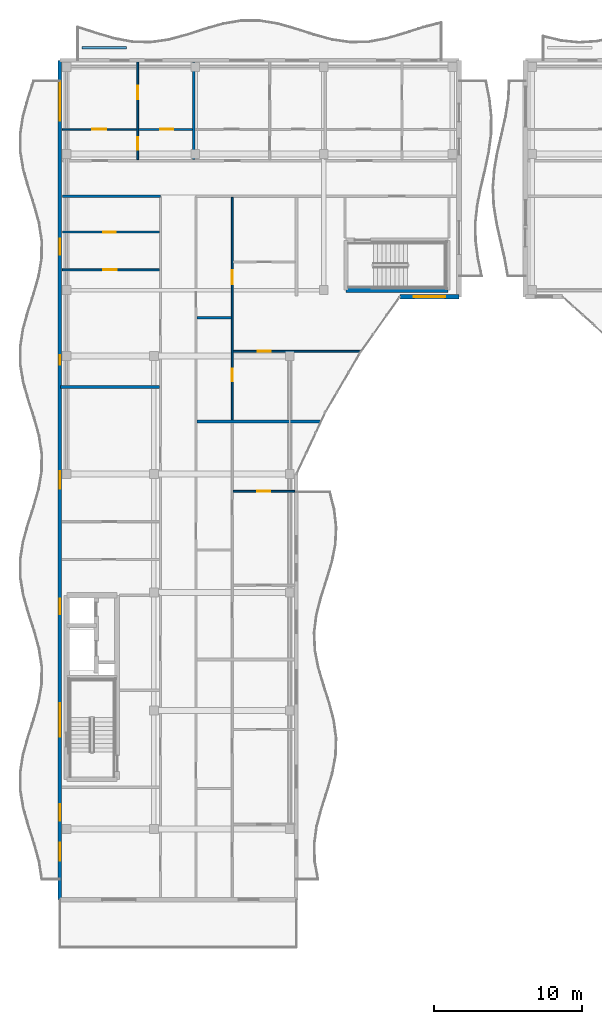
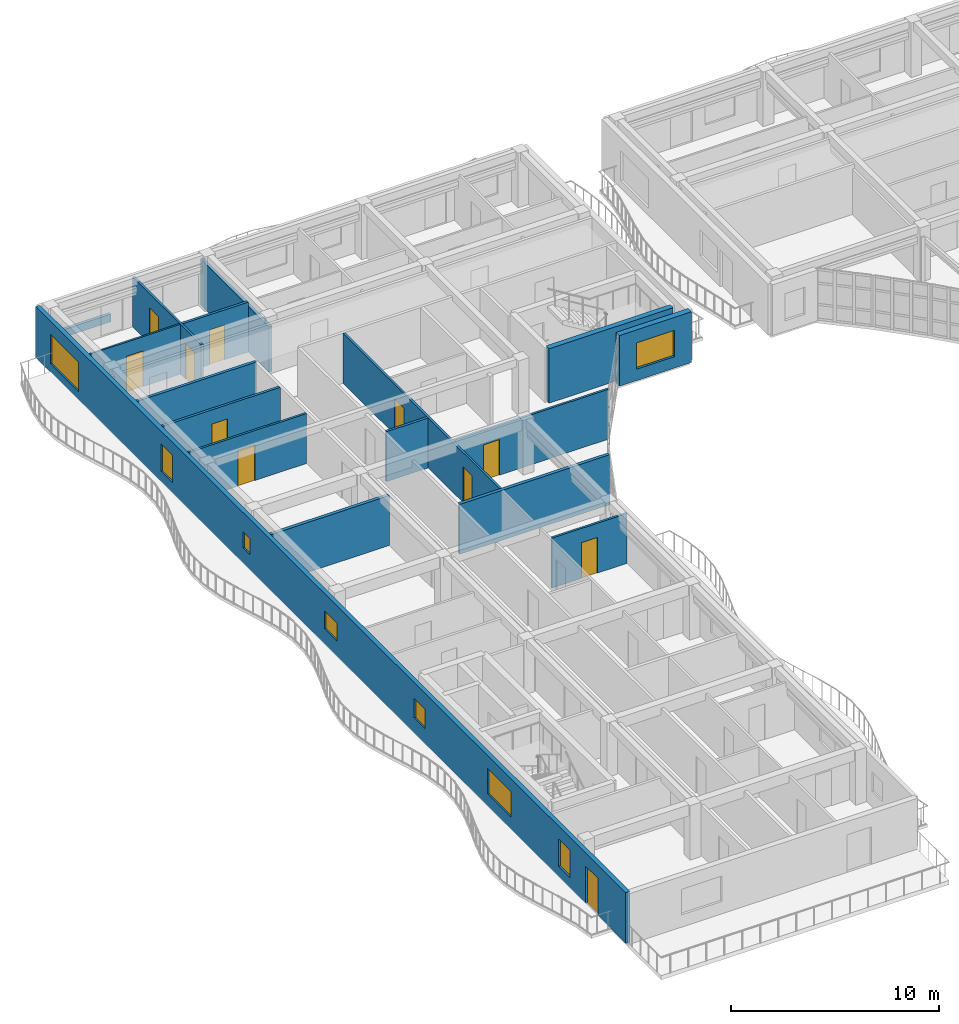
# One storey, part 33 of 72: 17 walls, 11 doors, 8 windows, 19 openings.
"""IFC4 building model written with IfcOpenShell, lengths in metres."""

from ifc_helpers import new_model, si_unit, direction, frame, frame_2d, origin, place, context, subcontext, project, spatial, rectangle, extrude, material, layer, layer_set, type_object, element, fill, save


model = new_model("IFC4")

# Units and contexts
model_context = context("Model", 3, precision=1e-05, world=origin(), true_north=direction((0.0, 1.0)))
body_context = subcontext(model_context, "Body", "Model", "MODEL_VIEW")
ifc_project = project(units=[si_unit("LENGTHUNIT", "METRE"), si_unit("AREAUNIT", "SQUARE_METRE"), si_unit("VOLUMEUNIT", "CUBIC_METRE"), si_unit("PLANEANGLEUNIT", "RADIAN"), si_unit("MASSUNIT", "GRAM", prefix="KILO")], contexts=[model_context])

# Site, building, storey
site_placement = place(None, origin())
site = spatial("IfcSite", under=ifc_project, at=site_placement, CompositionType="ELEMENT")
building_placement = place(site_placement, origin())
building = spatial("IfcBuilding", under=site, at=building_placement, Name="Keldmere Railside Commons", CompositionType="ELEMENT")
storey_placement = place(building_placement, frame((0.0, 0.0, 16.9599609375)))
storey = spatial("IfcBuildingStorey", under=building, at=storey_placement, Name="L05", CompositionType="ELEMENT", Elevation=16.9599609375)

# Walls
ifc_material_1 = material(Name="Acoustic Gypsum Board Partition", Category="gypsum")
ifc_layer_1 = layer(ifc_material_1, 0.179931640625, Name="Acoustic Demising Partition 180")
ifc_layer_set_1 = layer_set([ifc_layer_1], Name="Acoustic Gypsum Board Partition")
wall_type_1 = type_object("IfcWallType", Name="Acoustic Demising Partition 180", PredefinedType="PARTITIONING", material=ifc_layer_set_1)
wall_1_placement = place(storey_placement, frame((17.280029296875, 91.56005859375, 0.0), z_axis=(0.0, 0.0, 1.0), x_axis=(1.0, 0.0, 0.0)))
element("IfcWall", 1, at=wall_1_placement, inside=storey, type_object=wall_type_1, Name="IW-1 IW-L05-0376", PredefinedType="PARTITIONING", context=body_context, shape_type="SweptSolid", body=[
    extrude(rectangle(XDim=8.34619140625, YDim=0.179931640625, at=frame_2d((4.173095703125, 0.0))), origin(), (0.0, 0.0, 1.0), 2.93505859375),
])
wall_2_placement = place(storey_placement, frame((17.050048828125, 109.280029296875, 0.0), z_axis=(0.0, 0.0, 1.0), x_axis=(0.0, 1.0, 0.0)))
element("IfcWall", 2, at=wall_2_placement, inside=storey, type_object=wall_type_1, Name="IW-1 IW-L05-0389", PredefinedType="PARTITIONING", context=body_context, shape_type="SweptSolid", body=[
    extrude(rectangle(XDim=6.599853515625, YDim=0.179931640625, at=frame_2d((3.2998046875, 0.0))), origin(), (0.0, 0.0, 1.0), 2.679931640625),
])
wall_3_placement = place(storey_placement, frame((8.0400390625, 93.89990234375, 0.0), z_axis=(0.0, 0.0, 1.0), x_axis=(1.0, 0.0, 0.0)))
element("IfcWall", 3, at=wall_3_placement, inside=storey, type_object=wall_type_1, Name="IW-1 IW-L05-0400", PredefinedType="PARTITIONING", context=body_context, shape_type="SweptSolid", body=[
    extrude(rectangle(XDim=6.679931640625, YDim=0.179931640625, at=frame_2d((3.33984375, 0.0))), origin(), (0.0, 0.0, 1.0), 2.93505859375),
])

# Wall, opening, door
ifc_layer_2 = layer(ifc_material_1, 0.1201171875, Name="Apartment Interior Partition 120")
ifc_layer_set_2 = layer_set([ifc_layer_2], Name="Acoustic Gypsum Board Partition")
wall_type_2 = type_object("IfcWallType", Name="Apartment Interior Partition 120", PredefinedType="PARTITIONING", material=ifc_layer_set_2)
wall_4_placement = place(storey_placement, frame((19.719970703125, 86.85009765625, 0.0), z_axis=(0.0, 0.0, 1.0), x_axis=(1.0, 0.0, 0.0)))
wall_4 = element("IfcWall", 4, at=wall_4_placement, inside=storey, type_object=wall_type_2, Name="IW-4 IW-L05-0384", PredefinedType="PARTITIONING", context=body_context, shape_type="SweptSolid", body=[
    extrude(rectangle(XDim=4.159912109375, YDim=0.1201171875, at=frame_2d((2.080078125, 0.0))), origin(), (0.0, 0.0, 1.0), 2.93505859375),
])
opening_1_placement = place(wall_4_placement, frame((1.639892578125, 0.0, 0.0)))
opening_1 = element("IfcOpeningElement", 5, at=opening_1_placement, cuts=wall_4, Name="Opening ID-02", PredefinedType="OPENING", context=body_context, shape_type="SweptSolid", body=[
    extrude(rectangle(XDim=0.8798828125, YDim=2.10009765625, at=frame_2d((0.43994140625, 1.050048828125))), frame((0.0, 0.070068359375, 0.0), z_axis=(0.0, -1.0, 0.0), x_axis=(1.0, 0.0, 0.0)), (0.0, 0.0, 1.0), 0.14013671875),
])
ifc_material_2 = material(Name="Engineered Oak Timber", Category="wood")
door_type_1 = type_object("IfcDoorType", Name="Secondary Bedroom Door 880x2100", OperationType="NOTDEFINED", PredefinedType="DOOR", material=ifc_material_2)
door_1_placement = place(opening_1_placement, origin())
door_1 = element("IfcDoor", 6, at=door_1_placement, inside=storey, type_object=door_type_1, Name="ID-02 IDR-L05-0285", OperationType="SINGLE_SWING_LEFT", OverallHeight=2.10009765625, OverallWidth=0.8798828125, PredefinedType="DOOR", context=body_context, shape_type="SweptSolid", body=[
    extrude(rectangle(XDim=0.8798828125, YDim=2.10009765625, at=frame_2d((0.43994140625, 1.050048828125))), frame((0.0, 0.02490234375, 0.0), z_axis=(0.0, -1.0, 0.0), x_axis=(1.0, 0.0, 0.0)), (0.0, 0.0, 1.0), 0.050048828125),
])
fill(opening_1, door_1)

# Wall, openings, doors
wall_5_placement = place(storey_placement, frame((19.659912109375, 91.64990234375, 0.0), z_axis=(0.0, 0.0, 1.0), x_axis=(0.0, 1.0, 0.0)))
wall_5 = element("IfcWall", 7, at=wall_5_placement, inside=storey, type_object=wall_type_2, Name="IW-4 IW-L05-0385", PredefinedType="PARTITIONING", context=body_context, shape_type="SweptSolid", body=[
    extrude(rectangle(XDim=15.070068359375, YDim=0.1201171875, at=frame_2d((7.53515625, 0.0))), origin(), (0.0, 0.0, 1.0), 2.93505859375),
])
opening_2_placement = place(wall_5_placement, frame((2.63330078125, 0.0, 0.0)))
opening_2 = element("IfcOpeningElement", 8, at=opening_2_placement, cuts=wall_5, Name="Opening ID-04", PredefinedType="OPENING", context=body_context, shape_type="SweptSolid", body=[
    extrude(rectangle(XDim=0.860107421875, YDim=2.10009765625, at=frame_2d((0.43017578125, 1.050048828125))), frame((0.0, 0.070068359375, 0.0), z_axis=(0.0, -1.0, 0.0), x_axis=(1.0, 0.0, 0.0)), (0.0, 0.0, 1.0), 0.14013671875),
])
opening_3_placement = place(wall_5_placement, frame((9.209228515625, 0.0, 0.0)))
opening_3 = element("IfcOpeningElement", 9, at=opening_3_placement, cuts=wall_5, Name="Opening ID-03", PredefinedType="OPENING", context=body_context, shape_type="SweptSolid", body=[
    extrude(rectangle(XDim=0.919921875, YDim=2.10009765625, at=frame_2d((0.4599609375, 1.050048828125))), frame((0.0, 0.070068359375, 0.0), z_axis=(0.0, -1.0, 0.0), x_axis=(1.0, 0.0, 0.0)), (0.0, 0.0, 1.0), 0.14013671875),
])
door_type_2 = type_object("IfcDoorType", Name="Apartment Bathroom Door 860x2100", OperationType="NOTDEFINED", PredefinedType="DOOR", material=ifc_material_2)
door_2_placement = place(opening_2_placement, origin())
door_2 = element("IfcDoor", 10, at=door_2_placement, inside=storey, type_object=door_type_2, Name="ID-04 IDR-L05-0286", OperationType="SINGLE_SWING_RIGHT", OverallHeight=2.10009765625, OverallWidth=0.860107421875, PredefinedType="DOOR", context=body_context, shape_type="SweptSolid", body=[
    extrude(rectangle(XDim=0.860107421875, YDim=2.10009765625, at=frame_2d((0.43017578125, 1.050048828125))), frame((0.0, 0.02490234375, 0.0), z_axis=(0.0, -1.0, 0.0), x_axis=(1.0, 0.0, 0.0)), (0.0, 0.0, 1.0), 0.050048828125),
])
fill(opening_2, door_2)
door_type_3 = type_object("IfcDoorType", Name="Kitchen Pocket-Frame Swing Door 920x2100", OperationType="NOTDEFINED", PredefinedType="DOOR", material=ifc_material_2)
door_3_placement = place(opening_3_placement, origin())
door_3 = element("IfcDoor", 11, at=door_3_placement, inside=storey, type_object=door_type_3, Name="ID-03 IDR-L05-0287", OperationType="SINGLE_SWING_LEFT", OverallHeight=2.10009765625, OverallWidth=0.919921875, PredefinedType="DOOR", context=body_context, shape_type="SweptSolid", body=[
    extrude(rectangle(XDim=0.919921875, YDim=2.10009765625, at=frame_2d((0.4599609375, 1.050048828125))), frame((0.0, 0.02490234375, 0.0), z_axis=(0.0, -1.0, 0.0), x_axis=(1.0, 0.0, 0.0)), (0.0, 0.0, 1.0), 0.050048828125),
])
fill(opening_3, door_3)

# Wall, opening, door
wall_6_placement = place(storey_placement, frame((19.719970703125, 96.320068359375, 0.0), z_axis=(0.0, 0.0, 1.0), x_axis=(1.0, 0.0, 0.0)))
wall_6 = element("IfcWall", 12, at=wall_6_placement, inside=storey, type_object=wall_type_2, Name="IW-4 IW-L05-0387", PredefinedType="PARTITIONING", context=body_context, shape_type="SweptSolid", body=[
    extrude(rectangle(XDim=8.6181640625, YDim=0.1201171875, at=frame_2d((4.30908203125, 0.0))), origin(), (0.0, 0.0, 1.0), 2.93505859375),
])
opening_4_placement = place(wall_6_placement, frame((1.64501953125, 0.0, 0.0)))
opening_4 = element("IfcOpeningElement", 13, at=opening_4_placement, cuts=wall_6, Name="Opening ID-01", PredefinedType="OPENING", context=body_context, shape_type="SweptSolid", body=[
    extrude(rectangle(XDim=0.89990234375, YDim=2.10009765625, at=frame_2d((0.449951171875, 1.050048828125))), frame((0.0, 0.070068359375, 0.0), z_axis=(0.0, -1.0, 0.0), x_axis=(1.0, 0.0, 0.0)), (0.0, 0.0, 1.0), 0.14013671875),
])
door_type_4 = type_object("IfcDoorType", Name="Primary Bedroom Door 900x2100", OperationType="NOTDEFINED", PredefinedType="DOOR", material=ifc_material_2)
door_4_placement = place(opening_4_placement, origin())
door_4 = element("IfcDoor", 14, at=door_4_placement, inside=storey, type_object=door_type_4, Name="ID-01 IDR-L05-0289", OperationType="SINGLE_SWING_LEFT", OverallHeight=2.10009765625, OverallWidth=0.89990234375, PredefinedType="DOOR", context=body_context, shape_type="SweptSolid", body=[
    extrude(rectangle(XDim=0.89990234375, YDim=2.10009765625, at=frame_2d((0.449951171875, 1.050048828125))), frame((0.0, 0.02490234375, 0.0), z_axis=(0.0, -1.0, 0.0), x_axis=(1.0, 0.0, 0.0)), (0.0, 0.0, 1.0), 0.050048828125),
])
fill(opening_4, door_4)

# Wall, openings, doors
wall_7_placement = place(storey_placement, frame((13.260009765625, 109.280029296875, 0.0), z_axis=(0.0, 0.0, 1.0), x_axis=(0.0, 1.0, 0.0)))
wall_7 = element("IfcWall", 15, at=wall_7_placement, inside=storey, type_object=wall_type_2, Name="IW-4 IW-L05-0391", PredefinedType="PARTITIONING", context=body_context, shape_type="SweptSolid", body=[
    extrude(rectangle(XDim=6.599853515625, YDim=0.1201171875, at=frame_2d((3.2998046875, 0.0))), origin(), (0.0, 0.0, 1.0), 2.93505859375),
])
opening_5_placement = place(wall_7_placement, frame((0.656005859375, 0.0, 0.0)))
opening_5 = element("IfcOpeningElement", 16, at=opening_5_placement, cuts=wall_7, Name="Opening ID-04", PredefinedType="OPENING", context=body_context, shape_type="SweptSolid", body=[
    extrude(rectangle(XDim=0.860107421875, YDim=2.10009765625, at=frame_2d((0.43017578125, 1.050048828125))), frame((0.0, 0.070068359375, 0.0), z_axis=(0.0, -1.0, 0.0), x_axis=(1.0, 0.0, 0.0)), (0.0, 0.0, 1.0), 0.14013671875),
])
opening_6_placement = place(wall_7_placement, frame((4.097412109375, 0.0, 0.0)))
opening_6 = element("IfcOpeningElement", 17, at=opening_6_placement, cuts=wall_7, Name="Opening ID-01", PredefinedType="OPENING", context=body_context, shape_type="SweptSolid", body=[
    extrude(rectangle(XDim=0.89990234375, YDim=2.10009765625, at=frame_2d((0.449951171875, 1.050048828125))), frame((0.0, 0.070068359375, 0.0), z_axis=(0.0, -1.0, 0.0), x_axis=(1.0, 0.0, 0.0)), (0.0, 0.0, 1.0), 0.14013671875),
])
door_5_placement = place(opening_5_placement, origin())
door_5 = element("IfcDoor", 18, at=door_5_placement, inside=storey, type_object=door_type_2, Name="ID-04 IDR-L05-0293", OperationType="SINGLE_SWING_LEFT", OverallHeight=2.10009765625, OverallWidth=0.860107421875, PredefinedType="DOOR", context=body_context, shape_type="SweptSolid", body=[
    extrude(rectangle(XDim=0.860107421875, YDim=2.10009765625, at=frame_2d((0.43017578125, 1.050048828125))), frame((0.0, 0.02490234375, 0.0), z_axis=(0.0, -1.0, 0.0), x_axis=(1.0, 0.0, 0.0)), (0.0, 0.0, 1.0), 0.050048828125),
])
fill(opening_5, door_5)
door_6_placement = place(opening_6_placement, origin())
door_6 = element("IfcDoor", 19, at=door_6_placement, inside=storey, type_object=door_type_4, Name="ID-01 IDR-L05-0294", OperationType="SINGLE_SWING_RIGHT", OverallHeight=2.10009765625, OverallWidth=0.89990234375, PredefinedType="DOOR", context=body_context, shape_type="SweptSolid", body=[
    extrude(rectangle(XDim=0.89990234375, YDim=2.10009765625, at=frame_2d((0.449951171875, 1.050048828125))), frame((0.0, 0.02490234375, 0.0), z_axis=(0.0, -1.0, 0.0), x_axis=(1.0, 0.0, 0.0)), (0.0, 0.0, 1.0), 0.050048828125),
])
fill(opening_6, door_6)

# Wall, opening, door
wall_8_placement = place(storey_placement, frame((8.159912109375, 101.820068359375, 0.0), z_axis=(0.0, 0.0, 1.0), x_axis=(1.0, 0.0, 0.0)))
wall_8 = element("IfcWall", 20, at=wall_8_placement, inside=storey, type_object=wall_type_2, Name="IW-4 IW-L05-0403", PredefinedType="PARTITIONING", context=body_context, shape_type="SweptSolid", body=[
    extrude(rectangle(XDim=6.56005859375, YDim=0.1201171875, at=frame_2d((3.280029296875, 0.0))), origin(), (0.0, 0.0, 1.0), 2.93505859375),
])
opening_7_placement = place(wall_8_placement, frame((2.755126953125, 0.0, 0.0)))
opening_7 = element("IfcOpeningElement", 21, at=opening_7_placement, cuts=wall_8, Name="Opening ID-03", PredefinedType="OPENING", context=body_context, shape_type="SweptSolid", body=[
    extrude(rectangle(XDim=0.919921875, YDim=2.10009765625, at=frame_2d((0.4599609375, 1.050048828125))), frame((0.0, 0.070068359375, 0.0), z_axis=(0.0, -1.0, 0.0), x_axis=(1.0, 0.0, 0.0)), (0.0, 0.0, 1.0), 0.14013671875),
])
door_7_placement = place(opening_7_placement, origin())
door_7 = element("IfcDoor", 22, at=door_7_placement, inside=storey, type_object=door_type_3, Name="ID-03 IDR-L05-0311", OperationType="SINGLE_SWING_LEFT", OverallHeight=2.10009765625, OverallWidth=0.919921875, PredefinedType="DOOR", context=body_context, shape_type="SweptSolid", body=[
    extrude(rectangle(XDim=0.919921875, YDim=2.10009765625, at=frame_2d((0.4599609375, 1.050048828125))), frame((0.0, 0.02490234375, 0.0), z_axis=(0.0, -1.0, 0.0), x_axis=(1.0, 0.0, 0.0)), (0.0, 0.0, 1.0), 0.050048828125),
])
fill(opening_7, door_7)

# Wall
ifc_material_3 = material(Name="White Precast Concrete H-35 (C35/45)", Category="concrete")
ifc_layer_3 = layer(ifc_material_3, 0.169921875, Name="Balcony Planter Kerb Wall 170")
ifc_layer_set_3 = layer_set([ifc_layer_3], Name="White Precast Concrete H-35 (C35/45)")
wall_type_3 = type_object("IfcWallType", Name="Balcony Planter Kerb Wall 170", PredefinedType="PARAPET", material=ifc_layer_set_3)
wall_9_placement = place(storey_placement, frame((9.5, 116.85009765625, 0.0), z_axis=(0.0, 0.0, 1.0), x_axis=(1.0, 0.0, 0.0)))
element("IfcWall", 23, at=wall_9_placement, inside=storey, type_object=wall_type_3, Name="PW-2 PKBD-L05-0163", PredefinedType="PARAPET", context=body_context, shape_type="SweptSolid", body=[
    extrude(rectangle(XDim=3.0, YDim=0.169921875, at=frame_2d((1.5, 0.0))), origin(), (0.0, 0.0, 1.0), 0.449951171875),
])

# Wall, opening, door
ifc_layer_4 = layer(ifc_material_1, 0.10009765625, Name="Closet Light Partition 100")
ifc_layer_set_4 = layer_set([ifc_layer_4], Name="Acoustic Gypsum Board Partition")
wall_type_4 = type_object("IfcWallType", Name="Closet Light Partition 100", PredefinedType="PARTITIONING", material=ifc_layer_set_4)
wall_10_placement = place(storey_placement, frame((8.159912109375, 111.330078125, 0.0), z_axis=(0.0, 0.0, 1.0), x_axis=(1.0, 0.0, 0.0)))
wall_10 = element("IfcWall", 24, at=wall_10_placement, inside=storey, type_object=wall_type_4, Name="IW-6 IW-L05-0393", PredefinedType="PARTITIONING", context=body_context, shape_type="SweptSolid", body=[
    extrude(rectangle(XDim=5.0400390625, YDim=0.10009765625, at=frame_2d((2.52001953125, 0.0))), origin(), (0.0, 0.0, 1.0), 2.93505859375),
])
opening_8_placement = place(wall_10_placement, frame((2.0400390625, 0.0, 0.0)))
opening_8 = element("IfcOpeningElement", 25, at=opening_8_placement, cuts=wall_10, Name="Opening ID-03", PredefinedType="OPENING", context=body_context, shape_type="SweptSolid", body=[
    extrude(rectangle(XDim=0.919921875, YDim=2.10009765625, at=frame_2d((0.4599609375, 1.050048828125))), frame((0.0, 0.06005859375, 0.0), z_axis=(0.0, -1.0, 0.0), x_axis=(1.0, 0.0, 0.0)), (0.0, 0.0, 1.0), 0.1201171875),
])
door_8_placement = place(opening_8_placement, origin())
door_8 = element("IfcDoor", 26, at=door_8_placement, inside=storey, type_object=door_type_3, Name="ID-03 IDR-L05-0292", OperationType="SINGLE_SWING_RIGHT", OverallHeight=2.10009765625, OverallWidth=0.919921875, PredefinedType="DOOR", context=body_context, shape_type="SweptSolid", body=[
    extrude(rectangle(XDim=0.919921875, YDim=2.10009765625, at=frame_2d((0.4599609375, 1.050048828125))), frame((0.0, 0.02490234375, 0.0), z_axis=(0.0, -1.0, 0.0), x_axis=(1.0, 0.0, 0.0)), (0.0, 0.0, 1.0), 0.050048828125),
])
fill(opening_8, door_8)

# Wall
ifc_layer_5 = layer(ifc_material_1, 0.159912109375, Name="Corridor Fire Partition 160")
ifc_layer_set_5 = layer_set([ifc_layer_5], Name="Acoustic Gypsum Board Partition")
wall_type_5 = type_object("IfcWallType", Name="Corridor Fire Partition 160", PredefinedType="PARTITIONING", material=ifc_layer_set_5)
wall_11_placement = place(storey_placement, frame((8.159912109375, 106.800048828125, 0.0), z_axis=(0.0, 0.0, 1.0), x_axis=(1.0, 0.0, 0.0)))
element("IfcWall", 27, at=wall_11_placement, inside=storey, type_object=wall_type_5, Name="IW-2 IW-L05-0369", PredefinedType="PARTITIONING", context=body_context, shape_type="SweptSolid", body=[
    extrude(rectangle(XDim=6.64013671875, YDim=0.159912109375, at=frame_2d((3.320068359375, 0.0))), origin(), (0.0, 0.0, 1.0), 2.93505859375),
])

# Wall, opening, window
ifc_material_4 = material(Name="Concrete H-35 (C35/45)", Category="concrete")
ifc_layer_6 = layer(ifc_material_4, 0.320068359375, Name="Exterior Shear Wall 320")
ifc_layer_set_6 = layer_set([ifc_layer_6], Name="Concrete H-35 (C35/45)")
wall_type_6 = type_object("IfcWallType", Name="Exterior Shear Wall 320", PredefinedType="SHEAR", material=ifc_layer_set_6)
wall_12_placement = place(storey_placement, frame((35.0, 100.0, 0.0), z_axis=(0.0, 0.0, 1.0), x_axis=(-1.0, 0.0, 0.0)))
wall_12 = element("IfcWall", 28, at=wall_12_placement, inside=storey, type_object=wall_type_6, Name="ESW-2 EXTD-L05-0159", PredefinedType="SHEAR", context=body_context, shape_type="SweptSolid", body=[
    extrude(rectangle(XDim=4.0, YDim=0.320068359375, at=frame_2d((2.0, 0.0))), origin(), (0.0, 0.0, 1.0), 2.97998046875),
])
opening_9_placement = place(wall_12_placement, frame((0.949951171875, 0.0, 0.669921875)))
opening_9 = element("IfcOpeningElement", 29, at=opening_9_placement, cuts=wall_12, Name="Opening WN-11", PredefinedType="OPENING", context=body_context, shape_type="SweptSolid", body=[
    extrude(rectangle(XDim=2.10009765625, YDim=1.550048828125, at=frame_2d((1.050048828125, 0.77490234375))), frame((0.0, 0.169921875, 0.0), z_axis=(0.0, -1.0, 0.0), x_axis=(1.0, 0.0, 0.0)), (0.0, 0.0, 1.0), 0.340087890625),
])
ifc_material_5 = material(Name="Low-E Insulated Double Glazing", Category="glass")
window_type_1 = type_object("IfcWindowType", Name="Studio Wide Casement Window 2100x1550", PartitioningType="SINGLE_PANEL", PredefinedType="WINDOW", material=ifc_material_5)
window_1_placement = place(opening_9_placement, origin())
window_1 = element("IfcWindow", 30, at=window_1_placement, inside=storey, type_object=window_type_1, Name="WN-11 WIN-L05-0104", OverallHeight=1.550048828125, OverallWidth=2.10009765625, PartitioningType="SINGLE_PANEL", PredefinedType="WINDOW", context=body_context, shape_type="SweptSolid", body=[
    extrude(rectangle(XDim=2.10009765625, YDim=1.550048828125, at=frame_2d((1.050048828125, 0.77490234375))), frame((0.0, 0.030029296875, 0.0), z_axis=(0.0, -1.0, 0.0), x_axis=(1.0, 0.0, 0.0)), (0.0, 0.0, 1.0), 0.06005859375),
])
fill(opening_9, window_1)

# Wall
ifc_layer_7 = layer(ifc_material_4, 0.300048828125, Name="Interior Shear Wall 300")
ifc_layer_set_7 = layer_set([ifc_layer_7], Name="Concrete H-35 (C35/45)")
wall_type_7 = type_object("IfcWallType", Name="Interior Shear Wall 300", PredefinedType="SHEAR", material=ifc_layer_set_7)
wall_13_placement = place(storey_placement, frame((27.35009765625, 100.449951171875, 0.0), z_axis=(0.0, 0.0, 1.0), x_axis=(1.0, 0.0, 0.0)))
element("IfcWall", 31, at=wall_13_placement, inside=storey, type_object=wall_type_7, Name="ISW-2 CORED2S-L05-0095", PredefinedType="SHEAR", context=body_context, shape_type="SweptSolid", body=[
    extrude(rectangle(XDim=6.89990234375, YDim=0.300048828125, at=frame_2d((3.449951171875, 0.0))), origin(), (0.0, 0.0, 1.0), 3.199951171875),
])

# Wall, openings, windows, door
ifc_material_6 = material(Name="Architectural Precast Concrete H-35 (C35/45)", Category="concrete")
ifc_layer_8 = layer(ifc_material_6, 0.239990234375, Name="Sand-Ochre Precast Cavity Wall 240")
ifc_layer_set_8 = layer_set([ifc_layer_8], Name="Architectural Precast Concrete H-35 (C35/45)")
wall_type_8 = type_object("IfcWallType", Name="Sand-Ochre Precast Cavity Wall 240", PredefinedType="SOLIDWALL", material=ifc_layer_set_8)
wall_14_placement = place(storey_placement, frame((8.0, 59.199951171875, 0.0), z_axis=(0.0, 0.0, 1.0), x_axis=(0.0, 1.0, 0.0)))
wall_14 = element("IfcWall", 32, at=wall_14_placement, inside=storey, type_object=wall_type_8, Name="EW-2 EXTD-L05-0162", PredefinedType="SOLIDWALL", context=body_context, shape_type="SweptSolid", body=[
    extrude(rectangle(XDim=56.800048828125, YDim=0.239990234375, at=frame_2d((28.39990234375, 0.0))), origin(), (0.0, 0.0, 1.0), 2.97998046875),
])
opening_10_placement = place(wall_14_placement, frame((2.656982421875, 0.0, 0.0)))
opening_10 = element("IfcOpeningElement", 33, at=opening_10_placement, cuts=wall_14, Name="Opening BD-01", PredefinedType="OPENING", context=body_context, shape_type="SweptSolid", body=[
    extrude(rectangle(XDim=1.199951171875, YDim=2.199951171875, at=frame_2d((0.60009765625, 1.10009765625))), frame((0.0, 0.1298828125, 0.0), z_axis=(0.0, -1.0, 0.0), x_axis=(1.0, 0.0, 0.0)), (0.0, 0.0, 1.0), 0.260009765625),
])
opening_11_placement = place(wall_14_placement, frame((5.357177734375, 0.0, 0.6201171875)))
opening_11 = element("IfcOpeningElement", 34, at=opening_11_placement, cuts=wall_14, Name="Opening WN-16", PredefinedType="OPENING", context=body_context, shape_type="SweptSolid", body=[
    extrude(rectangle(XDim=1.10009765625, YDim=1.60009765625, at=frame_2d((0.550048828125, 0.800048828125))), frame((0.0, 0.1298828125, 0.0), z_axis=(0.0, -1.0, 0.0), x_axis=(1.0, 0.0, 0.0)), (0.0, 0.0, 1.0), 0.260009765625),
])
opening_12_placement = place(wall_14_placement, frame((11.04638671875, 0.0, 0.719970703125)))
opening_12 = element("IfcOpeningElement", 35, at=opening_12_placement, cuts=wall_14, Name="Opening WN-12", PredefinedType="OPENING", context=body_context, shape_type="SweptSolid", body=[
    extrude(rectangle(XDim=2.25, YDim=1.5, at=frame_2d((1.125, 0.75))), frame((0.0, 0.1298828125, 0.0), z_axis=(0.0, -1.0, 0.0), x_axis=(1.0, 0.0, 0.0)), (0.0, 0.0, 1.0), 0.260009765625),
])
opening_13_placement = place(wall_14_placement, frame((19.310791015625, 0.0, 0.89990234375)))
opening_13 = element("IfcOpeningElement", 36, at=opening_13_placement, cuts=wall_14, Name="Opening WN-13", PredefinedType="OPENING", context=body_context, shape_type="SweptSolid", body=[
    extrude(rectangle(XDim=1.050048828125, YDim=1.14990234375, at=frame_2d((0.52490234375, 0.574951171875))), frame((0.0, 0.1298828125, 0.0), z_axis=(0.0, -1.0, 0.0), x_axis=(1.0, 0.0, 0.0)), (0.0, 0.0, 1.0), 0.260009765625),
])
opening_14_placement = place(wall_14_placement, frame((27.800048828125, 0.0, 0.89990234375)))
opening_14 = element("IfcOpeningElement", 37, at=opening_14_placement, cuts=wall_14, Name="Opening WN-14", PredefinedType="OPENING", context=body_context, shape_type="SweptSolid", body=[
    extrude(rectangle(XDim=1.199951171875, YDim=1.050048828125, at=frame_2d((0.60009765625, 0.52490234375))), frame((0.0, 0.1298828125, 0.0), z_axis=(0.0, -1.0, 0.0), x_axis=(1.0, 0.0, 0.0)), (0.0, 0.0, 1.0), 0.260009765625),
])
opening_15_placement = place(wall_14_placement, frame((36.189208984375, 0.0, 0.89990234375)))
opening_15 = element("IfcOpeningElement", 38, at=opening_15_placement, cuts=wall_14, Name="Opening WN-15", PredefinedType="OPENING", context=body_context, shape_type="SweptSolid", body=[
    extrude(rectangle(XDim=0.64990234375, YDim=0.949951171875, at=frame_2d((0.324951171875, 0.47509765625))), frame((0.0, 0.1298828125, 0.0), z_axis=(0.0, -1.0, 0.0), x_axis=(1.0, 0.0, 0.0)), (0.0, 0.0, 1.0), 0.260009765625),
])
opening_16_placement = place(wall_14_placement, frame((43.628662109375, 0.0, 0.6201171875)))
opening_16 = element("IfcOpeningElement", 39, at=opening_16_placement, cuts=wall_14, Name="Opening WN-16", PredefinedType="OPENING", context=body_context, shape_type="SweptSolid", body=[
    extrude(rectangle(XDim=1.10009765625, YDim=1.60009765625, at=frame_2d((0.550048828125, 0.800048828125))), frame((0.0, 0.1298828125, 0.0), z_axis=(0.0, -1.0, 0.0), x_axis=(1.0, 0.0, 0.0)), (0.0, 0.0, 1.0), 0.260009765625),
])
opening_17_placement = place(wall_14_placement, frame((52.69287109375, 0.0, 0.469970703125)))
opening_17 = element("IfcOpeningElement", 40, at=opening_17_placement, cuts=wall_14, Name="Opening WN-19", PredefinedType="OPENING", context=body_context, shape_type="SweptSolid", body=[
    extrude(rectangle(XDim=2.699951171875, YDim=1.75, at=frame_2d((1.35009765625, 0.875))), frame((0.0, 0.1298828125, 0.0), z_axis=(0.0, -1.0, 0.0), x_axis=(1.0, 0.0, 0.0)), (0.0, 0.0, 1.0), 0.260009765625),
])
window_type_2 = type_object("IfcWindowType", Name="Apartment Kitchen Casement Window 1050x1150", PartitioningType="SINGLE_PANEL", PredefinedType="WINDOW", material=ifc_material_5)
window_2_placement = place(opening_13_placement, origin())
window_2 = element("IfcWindow", 41, at=window_2_placement, inside=storey, type_object=window_type_2, Name="WN-13 WIN-L05-0112", OverallHeight=1.14990234375, OverallWidth=1.050048828125, PartitioningType="SINGLE_PANEL", PredefinedType="WINDOW", context=body_context, shape_type="SweptSolid", body=[
    extrude(rectangle(XDim=1.050048828125, YDim=1.14990234375, at=frame_2d((0.52490234375, 0.574951171875))), frame((0.0, 0.030029296875, 0.0), z_axis=(0.0, -1.0, 0.0), x_axis=(1.0, 0.0, 0.0)), (0.0, 0.0, 1.0), 0.06005859375),
])
fill(opening_13, window_2)
window_type_3 = type_object("IfcWindowType", Name="Apartment Kitchen Ribbon Window 1200x1050", PartitioningType="SINGLE_PANEL", PredefinedType="WINDOW", material=ifc_material_5)
window_3_placement = place(opening_14_placement, origin())
window_3 = element("IfcWindow", 42, at=window_3_placement, inside=storey, type_object=window_type_3, Name="WN-14 WIN-L05-0113", OverallHeight=1.050048828125, OverallWidth=1.199951171875, PartitioningType="SINGLE_PANEL", PredefinedType="WINDOW", context=body_context, shape_type="SweptSolid", body=[
    extrude(rectangle(XDim=1.199951171875, YDim=1.050048828125, at=frame_2d((0.60009765625, 0.52490234375))), frame((0.0, 0.030029296875, 0.0), z_axis=(0.0, -1.0, 0.0), x_axis=(1.0, 0.0, 0.0)), (0.0, 0.0, 1.0), 0.06005859375),
])
fill(opening_14, window_3)
ifc_material_7 = material(Name="Thermally Broken Aluminium", Category="aluminium")
door_type_5 = type_object("IfcDoorType", Name="Apartment Living Wave-Balcony Glazed Door 1200x2200", OperationType="NOTDEFINED", PredefinedType="DOOR", material=ifc_material_7)
door_9_placement = place(opening_10_placement, origin())
door_9 = element("IfcDoor", 43, at=door_9_placement, inside=storey, type_object=door_type_5, Name="BD-01 DR-L05-0036", OperationType="SINGLE_SWING_RIGHT", OverallHeight=2.199951171875, OverallWidth=1.199951171875, PredefinedType="DOOR", context=body_context, shape_type="SweptSolid", body=[
    extrude(rectangle(XDim=1.199951171875, YDim=2.199951171875, at=frame_2d((0.60009765625, 1.10009765625))), frame((0.0, 0.02490234375, 0.0), z_axis=(0.0, -1.0, 0.0), x_axis=(1.0, 0.0, 0.0)), (0.0, 0.0, 1.0), 0.050048828125),
])
fill(opening_10, door_9)
window_type_4 = type_object("IfcWindowType", Name="Corridor End Daylight Window 1100x1600", PartitioningType="SINGLE_PANEL", PredefinedType="WINDOW", material=ifc_material_5)
window_4_placement = place(opening_11_placement, origin())
window_4 = element("IfcWindow", 44, at=window_4_placement, inside=storey, type_object=window_type_4, Name="WN-16 WIN-L05-0110", OverallHeight=1.60009765625, OverallWidth=1.10009765625, PartitioningType="SINGLE_PANEL", PredefinedType="WINDOW", context=body_context, shape_type="SweptSolid", body=[
    extrude(rectangle(XDim=1.10009765625, YDim=1.60009765625, at=frame_2d((0.550048828125, 0.800048828125))), frame((0.0, 0.030029296875, 0.0), z_axis=(0.0, -1.0, 0.0), x_axis=(1.0, 0.0, 0.0)), (0.0, 0.0, 1.0), 0.06005859375),
])
fill(opening_11, window_4)
window_5_placement = place(opening_16_placement, origin())
window_5 = element("IfcWindow", 45, at=window_5_placement, inside=storey, type_object=window_type_4, Name="WN-16 WIN-L05-0115", OverallHeight=1.60009765625, OverallWidth=1.10009765625, PartitioningType="SINGLE_PANEL", PredefinedType="WINDOW", context=body_context, shape_type="SweptSolid", body=[
    extrude(rectangle(XDim=1.10009765625, YDim=1.60009765625, at=frame_2d((0.550048828125, 0.800048828125))), frame((0.0, 0.030029296875, 0.0), z_axis=(0.0, -1.0, 0.0), x_axis=(1.0, 0.0, 0.0)), (0.0, 0.0, 1.0), 0.06005859375),
])
fill(opening_16, window_5)
window_type_5 = type_object("IfcWindowType", Name="Exterior Bathroom Frosted Window 650x950", PartitioningType="SINGLE_PANEL", PredefinedType="WINDOW", material=ifc_material_5)
window_6_placement = place(opening_15_placement, origin())
window_6 = element("IfcWindow", 46, at=window_6_placement, inside=storey, type_object=window_type_5, Name="WN-15 WIN-L05-0114", OverallHeight=0.949951171875, OverallWidth=0.64990234375, PartitioningType="SINGLE_PANEL", PredefinedType="WINDOW", context=body_context, shape_type="SweptSolid", body=[
    extrude(rectangle(XDim=0.64990234375, YDim=0.949951171875, at=frame_2d((0.324951171875, 0.47509765625))), frame((0.0, 0.030029296875, 0.0), z_axis=(0.0, -1.0, 0.0), x_axis=(1.0, 0.0, 0.0)), (0.0, 0.0, 1.0), 0.06005859375),
])
fill(opening_15, window_6)
window_type_6 = type_object("IfcWindowType", Name="Resident Lounge Panorama Window 2700x1750", PartitioningType="SINGLE_PANEL", PredefinedType="WINDOW", material=ifc_material_5)
window_7_placement = place(opening_17_placement, origin())
window_7 = element("IfcWindow", 47, at=window_7_placement, inside=storey, type_object=window_type_6, Name="WN-19 WIN-L05-0116", OverallHeight=1.75, OverallWidth=2.699951171875, PartitioningType="SINGLE_PANEL", PredefinedType="WINDOW", context=body_context, shape_type="SweptSolid", body=[
    extrude(rectangle(XDim=2.699951171875, YDim=1.75, at=frame_2d((1.35009765625, 0.875))), frame((0.0, 0.030029296875, 0.0), z_axis=(0.0, -1.0, 0.0), x_axis=(1.0, 0.0, 0.0)), (0.0, 0.0, 1.0), 0.06005859375),
])
fill(opening_17, window_7)
window_type_7 = type_object("IfcWindowType", Name="Studio Court Ribbon Window 2250x1500", PartitioningType="SINGLE_PANEL", PredefinedType="WINDOW", material=ifc_material_5)
window_8_placement = place(opening_12_placement, origin())
window_8 = element("IfcWindow", 48, at=window_8_placement, inside=storey, type_object=window_type_7, Name="WN-12 WIN-L05-0111", OverallHeight=1.5, OverallWidth=2.25, PartitioningType="SINGLE_PANEL", PredefinedType="WINDOW", context=body_context, shape_type="SweptSolid", body=[
    extrude(rectangle(XDim=2.25, YDim=1.5, at=frame_2d((1.125, 0.75))), frame((0.0, 0.030029296875, 0.0), z_axis=(0.0, -1.0, 0.0), x_axis=(1.0, 0.0, 0.0)), (0.0, 0.0, 1.0), 0.06005859375),
])
fill(opening_12, window_8)

# Wall
ifc_layer_9 = layer(ifc_material_1, 0.139892578125, Name="Wet-Room Sanitary Partition 140")
ifc_layer_set_9 = layer_set([ifc_layer_9], Name="Acoustic Gypsum Board Partition")
wall_type_9 = type_object("IfcWallType", Name="Wet-Room Sanitary Partition 140", PredefinedType="PARTITIONING", material=ifc_layer_set_9)
wall_15_placement = place(storey_placement, frame((17.280029296875, 98.580078125, 0.0), z_axis=(0.0, 0.0, 1.0), x_axis=(1.0, 0.0, 0.0)))
element("IfcWall", 49, at=wall_15_placement, inside=storey, type_object=wall_type_9, Name="IW-5 IW-L05-0386", PredefinedType="PARTITIONING", context=body_context, shape_type="SweptSolid", body=[
    extrude(rectangle(XDim=2.320068359375, YDim=0.139892578125, at=frame_2d((1.16015625, 0.0))), origin(), (0.0, 0.0, 1.0), 2.93505859375),
])

# Wall, opening, door
wall_16_placement = place(storey_placement, frame((13.320068359375, 111.330078125, 0.0), z_axis=(0.0, 0.0, 1.0), x_axis=(1.0, 0.0, 0.0)))
wall_16 = element("IfcWall", 50, at=wall_16_placement, inside=storey, type_object=wall_type_9, Name="IW-5 IW-L05-0392", PredefinedType="PARTITIONING", context=body_context, shape_type="SweptSolid", body=[
    extrude(rectangle(XDim=3.639892578125, YDim=0.139892578125, at=frame_2d((1.81982421875, 0.0))), origin(), (0.0, 0.0, 1.0), 2.93505859375),
])
opening_18_placement = place(wall_16_placement, frame((1.47998046875, 0.0, 0.0)))
opening_18 = element("IfcOpeningElement", 51, at=opening_18_placement, cuts=wall_16, Name="Opening ID-06", PredefinedType="OPENING", context=body_context, shape_type="SweptSolid", body=[
    extrude(rectangle(XDim=0.85009765625, YDim=2.050048828125, at=frame_2d((0.425048828125, 1.02490234375))), frame((0.0, 0.079833984375, 0.0), z_axis=(0.0, -1.0, 0.0), x_axis=(1.0, 0.0, 0.0)), (0.0, 0.0, 1.0), 0.159912109375),
])
door_type_6 = type_object("IfcDoorType", Name="Storage Closet Door 850x2050", OperationType="NOTDEFINED", PredefinedType="DOOR", material=ifc_material_2)
door_10_placement = place(opening_18_placement, origin())
door_10 = element("IfcDoor", 52, at=door_10_placement, inside=storey, type_object=door_type_6, Name="ID-06 IDR-L05-0295", OperationType="SINGLE_SWING_LEFT", OverallHeight=2.050048828125, OverallWidth=0.85009765625, PredefinedType="DOOR", context=body_context, shape_type="SweptSolid", body=[
    extrude(rectangle(XDim=0.85009765625, YDim=2.050048828125, at=frame_2d((0.425048828125, 1.02490234375))), frame((0.0, 0.02490234375, 0.0), z_axis=(0.0, -1.0, 0.0), x_axis=(1.0, 0.0, 0.0)), (0.0, 0.0, 1.0), 0.050048828125),
])
fill(opening_18, door_10)

wall_17_placement = place(storey_placement, frame((8.159912109375, 104.3701171875, 0.0), z_axis=(0.0, 0.0, 1.0), x_axis=(1.0, 0.0, 0.0)))
wall_17 = element("IfcWall", 53, at=wall_17_placement, inside=storey, type_object=wall_type_9, Name="IW-5 IW-L05-0404", PredefinedType="PARTITIONING", context=body_context, shape_type="SweptSolid", body=[
    extrude(rectangle(XDim=6.56005859375, YDim=0.139892578125, at=frame_2d((3.280029296875, 0.0))), origin(), (0.0, 0.0, 1.0), 2.93505859375),
])
opening_19_placement = place(wall_17_placement, frame((2.755126953125, 0.0, 0.0)))
opening_19 = element("IfcOpeningElement", 54, at=opening_19_placement, cuts=wall_17, Name="Opening ID-04", PredefinedType="OPENING", context=body_context, shape_type="SweptSolid", body=[
    extrude(rectangle(XDim=0.860107421875, YDim=2.10009765625, at=frame_2d((0.43017578125, 1.050048828125))), frame((0.0, 0.079833984375, 0.0), z_axis=(0.0, -1.0, 0.0), x_axis=(1.0, 0.0, 0.0)), (0.0, 0.0, 1.0), 0.159912109375),
])
door_11_placement = place(opening_19_placement, origin())
door_11 = element("IfcDoor", 55, at=door_11_placement, inside=storey, type_object=door_type_2, Name="ID-04 IDR-L05-0310", OperationType="SINGLE_SWING_RIGHT", OverallHeight=2.10009765625, OverallWidth=0.860107421875, PredefinedType="DOOR", context=body_context, shape_type="SweptSolid", body=[
    extrude(rectangle(XDim=0.860107421875, YDim=2.10009765625, at=frame_2d((0.43017578125, 1.050048828125))), frame((0.0, 0.02490234375, 0.0), z_axis=(0.0, -1.0, 0.0), x_axis=(1.0, 0.0, 0.0)), (0.0, 0.0, 1.0), 0.050048828125),
])
fill(opening_19, door_11)

save(model, "model.ifc")
